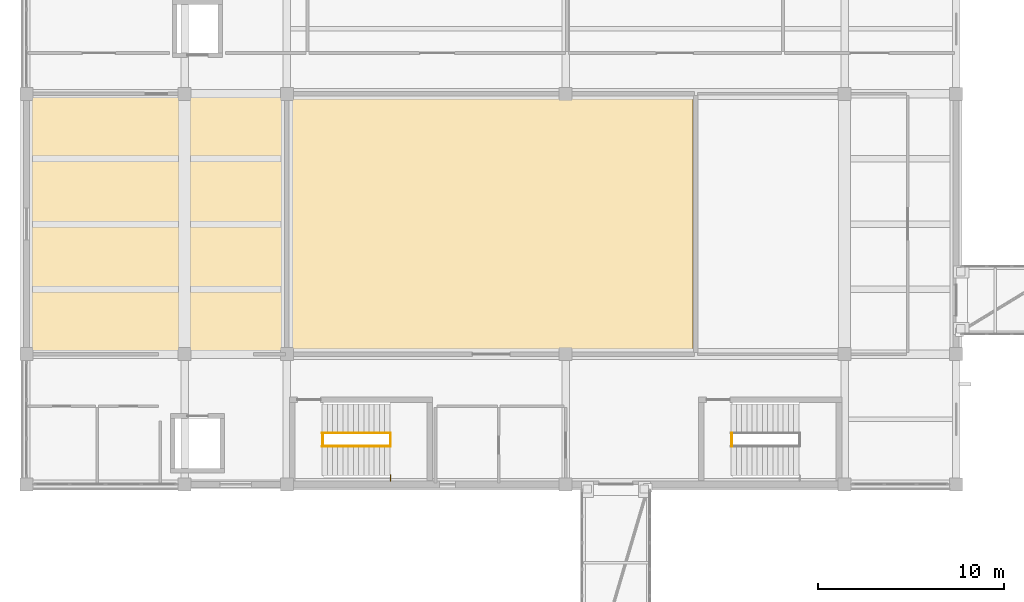
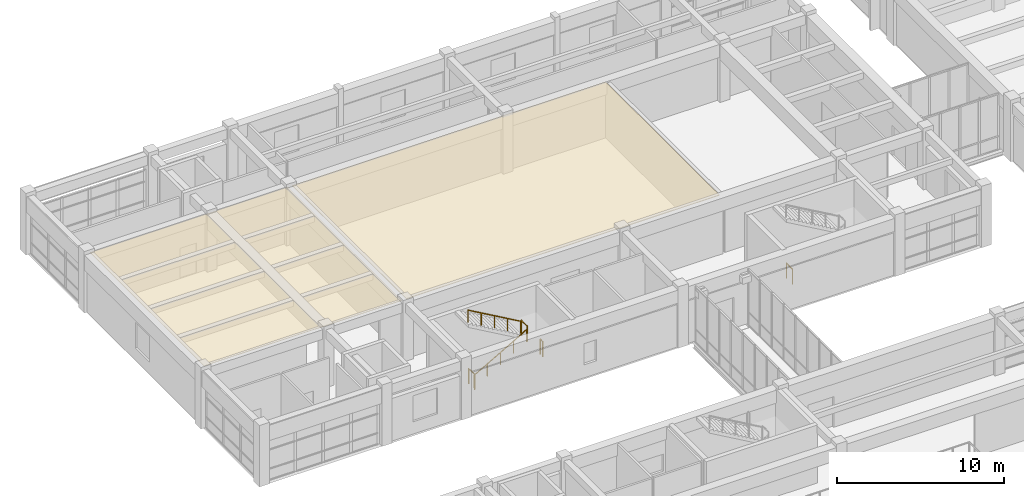
# One storey, part 62 of 70: 6 railings, 2 coverings.
"""IFC4 building model written with IfcOpenShell, lengths in metres."""

from ifc_helpers import new_model, si_unit, direction, frame, origin, origin_2d, place, context, subcontext, project, spatial, polyline, circle, outline, extrude, material, layer, layer_set, type_object, element, save


model = new_model("IFC4")

# Units and contexts
model_context = context("Model", 3, precision=1e-05, world=origin(), true_north=direction((0.0, 1.0)))
body_context = subcontext(model_context, "Body", "Model", "MODEL_VIEW")
ifc_project = project(units=[si_unit("LENGTHUNIT", "METRE"), si_unit("AREAUNIT", "SQUARE_METRE"), si_unit("VOLUMEUNIT", "CUBIC_METRE"), si_unit("PLANEANGLEUNIT", "RADIAN"), si_unit("MASSUNIT", "GRAM", prefix="KILO")], contexts=[model_context])

# Site, building, storey
site_placement = place(None, origin())
site = spatial("IfcSite", under=ifc_project, at=site_placement, CompositionType="ELEMENT")
building_placement = place(site_placement, origin())
building = spatial("IfcBuilding", under=site, at=building_placement, Name="Naurynzar Civic Courthouse", CompositionType="ELEMENT")
storey_placement = place(building_placement, frame((0.0, 0.0, 5.39990234375)))
storey = spatial("IfcBuildingStorey", under=building, at=storey_placement, Name="L02", CompositionType="ELEMENT", Elevation=5.39990234375)

# Coverings
ifc_material_1 = material(Name="Acoustic Oak Timber Grade A", Category="wood")
ifc_layer_1 = layer(ifc_material_1, 0.044921875)
ifc_layer_set_1 = layer_set([ifc_layer_1], Name="CEIL-ACOUSTIC-OAK-45")
covering_type_1 = type_object("IfcCoveringType", Name="CEIL-ACOUSTIC-OAK-45", PredefinedType="CEILING", material=ifc_layer_set_1)
covering_1_placement = place(storey_placement, frame((0.0, 0.0, 4.114990234375)))
element("IfcCovering", 1, at=covering_1_placement, inside=storey, type_object=covering_type_1, Name="Acoustic suspended ceiling Ceremonial Court", PredefinedType="CEILING", context=body_context, shape_type="SweptSolid", body=[
    extrude(outline(polyline([(20.159912109375, 51.159912109375), (20.159912109375, 64.840087890625), (41.840087890625, 64.840087890625), (41.840087890625, 51.159912109375), (20.159912109375, 51.159912109375)])), origin(), (0.0, 0.0, 1.0), 0.045166015625),
])
ifc_material_2 = material(Name="Mineral Fibre Acoustic Ceiling")
ifc_layer_2 = layer(ifc_material_2, 0.030029296875)
ifc_layer_set_2 = layer_set([ifc_layer_2], Name="CEIL-MINERAL-30")
covering_type_2 = type_object("IfcCoveringType", Name="CEIL-MINERAL-30", PredefinedType="CEILING", material=ifc_layer_set_2)
covering_2_placement = place(storey_placement, frame((0.0, 0.0, 4.114990234375)))
element("IfcCovering", 2, at=covering_2_placement, inside=storey, type_object=covering_type_2, Name="Acoustic suspended ceiling Ceremonial Jury Room", PredefinedType="CEILING", context=body_context, shape_type="SweptSolid", body=[
    extrude(outline(polyline([(6.159912109375, 51.159912109375), (6.159912109375, 64.840087890625), (19.840087890625, 64.840087890625), (19.840087890625, 51.159912109375), (6.159912109375, 51.159912109375)])), origin(), (0.0, 0.0, 1.0), 0.030029296875),
])

# Railings
ifc_material_3 = material(Name="Brushed Stainless Steel 304", Category="steel")
railing_type_1 = type_object("IfcRailingType", Name="RAIL-BAL-1100", PredefinedType="BALUSTRADE", material=ifc_material_3)
for number, where, name in (
    (3, (21.93994140625, 46.0400390625, 0.0), "Stair ST-V1A floor well slot guard L02"),
    (4, (25.580078125, 46.0400390625, 2.25), "Stair ST-V1A-L02 half-landing well guard"),
):
    element("IfcRailing", number, at=place(storey_placement, frame(where)), inside=storey, type_object=railing_type_1, Name=name, PredefinedType="BALUSTRADE", context=body_context, shape_type="SweptSolid", body=[
        extrude(circle(Radius=0.02392578125, at=origin_2d()), frame((0.0, 0.0, 1.09619140625), z_axis=(0.0, 1.0, 0.0), x_axis=(-1.0, 0.0, 0.0)), (0.0, 0.0, 1.0), 0.719970703125),
        extrude(circle(Radius=0.02099609375, at=origin_2d()), origin(), (0.0, 0.0, 1.0), 1.072021484375),
        extrude(circle(Radius=0.02099609375, at=origin_2d()), frame((0.0, 0.719970703125, 0.0)), (0.0, 0.0, 1.0), 1.072021484375),
    ])
railing_1_placement = place(storey_placement, frame((25.580078125, 44.195068359375, 2.25)))
element("IfcRailing", 5, at=railing_1_placement, inside=storey, type_object=railing_type_1, Name="Stair ST-V1A-L02 half-landing south slot guard", PredefinedType="BALUSTRADE", context=body_context, shape_type="SweptSolid", body=[
    extrude(circle(Radius=0.02392578125, at=origin_2d()), frame((0.0, 0.0, 1.09619140625), z_axis=(0.0, 1.0, 0.0), x_axis=(-1.0, 0.0, 0.0)), (0.0, 0.0, 1.0), 0.284912109375),
    extrude(circle(Radius=0.02099609375, at=origin_2d()), origin(), (0.0, 0.0, 1.0), 1.072021484375),
    extrude(circle(Radius=0.02099609375, at=origin_2d()), frame((0.0, 0.284912109375, 0.0)), (0.0, 0.0, 1.0), 1.072021484375),
])
railing_2_placement = place(storey_placement, frame((43.93994140625, 46.0400390625, 0.0)))
element("IfcRailing", 6, at=railing_2_placement, inside=storey, type_object=railing_type_1, Name="Stair ST-V1B floor well slot guard L02", PredefinedType="BALUSTRADE", context=body_context, shape_type="SweptSolid", body=[
    extrude(circle(Radius=0.02392578125, at=origin_2d()), frame((0.0, 0.0, 1.09619140625), z_axis=(0.0, 1.0, 0.0), x_axis=(-1.0, 0.0, 0.0)), (0.0, 0.0, 1.0), 0.719970703125),
    extrude(circle(Radius=0.02099609375, at=origin_2d()), origin(), (0.0, 0.0, 1.0), 1.072021484375),
    extrude(circle(Radius=0.02099609375, at=origin_2d()), frame((0.0, 0.719970703125, 0.0)), (0.0, 0.0, 1.0), 1.072021484375),
])
ifc_material_4 = material(Name="Brushed Stainless Steel 304", Category="steel")
railing_type_2 = type_object("IfcRailingType", Name="RAIL-HR-900", PredefinedType="HANDRAIL", material=ifc_material_4)
railing_3_placement = place(storey_placement, frame((21.89990234375, 46.0400390625, 0.160888671875)))
element("IfcRailing", 7, at=railing_3_placement, inside=storey, type_object=railing_type_2, Name="Stair ST-V1A-L02 flight 1 handrail", PredefinedType="HANDRAIL", context=body_context, shape_type="SweptSolid", body=[
    extrude(circle(Radius=0.02392578125, at=origin_2d()), frame((0.0, 0.0, 0.8759765625), z_axis=(0.867314486057, 0.0, 0.497760567216), x_axis=(0.0, 1.0, 0.0)), (0.0, 0.0, 1.0), 4.197021484375),
    extrude(circle(Radius=0.02099609375, at=origin_2d()), origin(), (0.0, 0.0, 1.0), 0.851806640625),
    extrude(circle(Radius=0.02099609375, at=origin_2d()), frame((0.91015625, 0.0, 0.522216796875)), (0.0, 0.0, 1.0), 0.851806640625),
    extrude(circle(Radius=0.02099609375, at=origin_2d()), frame((1.820068359375, 0.0, 1.04443359375)), (0.0, 0.0, 1.0), 0.851806640625),
    extrude(circle(Radius=0.02099609375, at=origin_2d()), frame((2.72998046875, 0.0, 1.56689453125)), (0.0, 0.0, 1.0), 0.851806640625),
    extrude(circle(Radius=0.02099609375, at=origin_2d()), frame((3.64013671875, 0.0, 2.089111328125)), (0.0, 0.0, 1.0), 0.851806640625),
])
railing_4_placement = place(storey_placement, frame((25.5400390625, 46.760009765625, 2.410888671875)))
element("IfcRailing", 8, at=railing_4_placement, inside=storey, type_object=railing_type_2, Name="Stair ST-V1A-L02 flight 2 handrail", PredefinedType="HANDRAIL", context=body_context, shape_type="SweptSolid", body=[
    extrude(circle(Radius=0.02392578125, at=origin_2d()), frame((0.0, 0.0, 0.8759765625), z_axis=(-0.867314486057, 0.0, 0.497760567216), x_axis=(0.0, -1.0, 0.0)), (0.0, 0.0, 1.0), 4.197021484375),
    extrude(circle(Radius=0.02099609375, at=origin_2d()), origin(), (0.0, 0.0, 1.0), 0.851806640625),
    extrude(circle(Radius=0.02099609375, at=origin_2d()), frame((-0.91015625, 0.0, 0.522216796875)), (0.0, 0.0, 1.0), 0.851806640625),
    extrude(circle(Radius=0.02099609375, at=origin_2d()), frame((-1.820068359375, 0.0, 1.04443359375)), (0.0, 0.0, 1.0), 0.851806640625),
    extrude(circle(Radius=0.02099609375, at=origin_2d()), frame((-2.72998046875, 0.0, 1.56689453125)), (0.0, 0.0, 1.0), 0.851806640625),
    extrude(circle(Radius=0.02099609375, at=origin_2d()), frame((-3.64013671875, 0.0, 2.089111328125)), (0.0, 0.0, 1.0), 0.851806640625),
])

save(model, "model.ifc")
